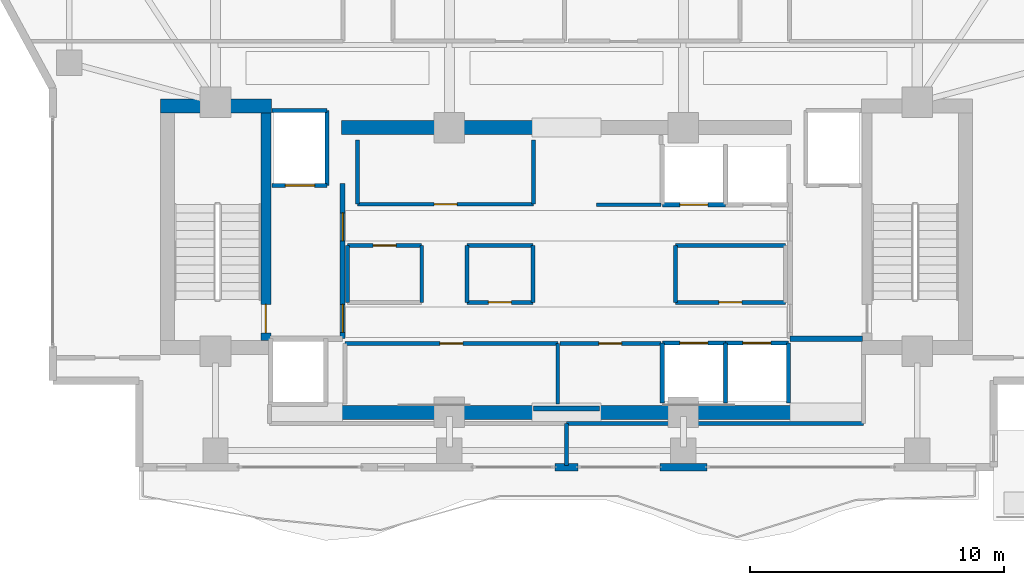
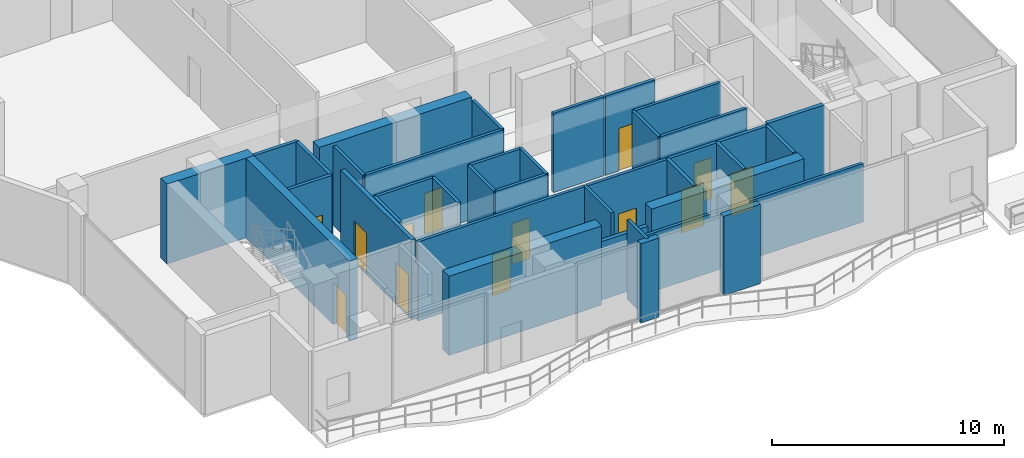
# One storey, part 17 of 23: 38 walls, 13 doors, 13 openings.
"""IFC4 building model written with IfcOpenShell, lengths in metres."""

from ifc_helpers import new_model, si_unit, direction, frame, frame_2d, origin, place, context, subcontext, project, spatial, rectangle, extrude, material, layer, layer_set, type_object, element, fill, save


model = new_model("IFC4")

# Units and contexts
model_context = context("Model", 3, precision=1e-05, world=origin(), true_north=direction((0.0, 1.0)))
body_context = subcontext(model_context, "Body", "Model", "MODEL_VIEW")
ifc_project = project(units=[si_unit("LENGTHUNIT", "METRE"), si_unit("AREAUNIT", "SQUARE_METRE"), si_unit("VOLUMEUNIT", "CUBIC_METRE"), si_unit("PLANEANGLEUNIT", "RADIAN"), si_unit("MASSUNIT", "GRAM", prefix="KILO")], contexts=[model_context])

# Site, building, storey
site_placement = place(None, origin())
site = spatial("IfcSite", under=ifc_project, at=site_placement, CompositionType="ELEMENT")
building_placement = place(site_placement, origin())
building = spatial("IfcBuilding", under=site, at=building_placement, Name="Zuhayl Quay Hotel", CompositionType="ELEMENT")
storey_placement = place(building_placement, frame((0.0, 0.0, 288.449951171875)))
storey = spatial("IfcBuildingStorey", under=building, at=storey_placement, Name="L73", CompositionType="ELEMENT", Elevation=288.449951171875)

# Walls
ifc_material_1 = material(Name="Concrete C50/60", Category="concrete")
ifc_layer_1 = layer(ifc_material_1, 0.550048828125, Name="Concrete C50/60", Category="concrete")
ifc_layer_set_1 = layer_set([ifc_layer_1], Name="Concrete C50/60")
wall_type_1 = type_object("IfcWallType", Name="WL_CORE_550", PredefinedType="SHEAR", material=ifc_layer_set_1)
wall_1_placement = place(storey_placement, frame((-15.9599609375, 14.205078125, 0.0), z_axis=(0.0, 0.0, 1.0), x_axis=(1.0, 0.0, 0.0)))
element("IfcWall", 1, at=wall_1_placement, inside=storey, type_object=wall_type_1, Name="L73 Core Shear Wall CW_NW", PredefinedType="SHEAR", context=body_context, shape_type="SweptSolid", body=[
    extrude(rectangle(XDim=4.35986328125, YDim=0.550048828125, at=frame_2d((2.179931640625, 0.0))), origin(), (0.0, 0.0, 1.0), 4.2099609375),
])
for number, where, z_axis, x_axis, name in (
    (2, (-8.85009765625, 2.14990234375, 0.0), (0.0, 0.0, 1.0), (1.0, 0.0, 0.0), "L73 Core Shear Wall CW_SC_W"),
    (3, (1.25, 2.14990234375, 0.0), (0.0, 0.0, 1.0), (1.0, 0.0, 0.0), "L73 Core Shear Wall CW_SC_E"),
    (4, (-8.85009765625, 13.35009765625, 0.0), (0.0, 0.0, 1.0), (1.0, 0.0, 0.0), "L73 Core Shear Wall CW_NC_W"),
):
    element("IfcWall", number, at=place(storey_placement, frame(where, z_axis=z_axis, x_axis=x_axis)), inside=storey, type_object=wall_type_1, Name=name, PredefinedType="SHEAR", context=body_context, shape_type="SweptSolid", body=[
        extrude(rectangle(XDim=7.60009765625, YDim=0.550048828125, at=frame_2d((3.800048828125, 0.0))), origin(), (0.0, 0.0, 1.0), 4.179931640625),
    ])
ifc_material_2 = material(Name="Precast concrete C45/55", Category="concrete")
ifc_layer_2 = layer(ifc_material_2, 0.300048828125, Name="Precast concrete C45/55", Category="concrete")
ifc_layer_set_2 = layer_set([ifc_layer_2], Name="Precast concrete C45/55")
wall_type_2 = type_object("IfcWallType", Name="WL_EXT_300", PredefinedType="STANDARD", material=ifc_layer_set_2)
wall_2_placement = place(storey_placement, frame((5.52001953125, 0.0, 0.0), z_axis=(0.0, 0.0, 1.0), x_axis=(-1.0, 0.0, 0.0)))
element("IfcWall", 5, at=wall_2_placement, inside=storey, type_object=wall_type_2, Name="L73 Exterior Precast Wall ENV_L73_S_EW2", PredefinedType="STANDARD", context=body_context, shape_type="SweptSolid", body=[
    extrude(rectangle(XDim=1.840087890625, YDim=0.300048828125, at=frame_2d((0.919921875, 0.0))), origin(), (0.0, 0.0, 1.0), 4.179931640625),
])
wall_3_placement = place(storey_placement, frame((0.449951171875, 0.0, 0.0), z_axis=(0.0, 0.0, 1.0), x_axis=(-1.0, 0.0, 0.0)))
element("IfcWall", 6, at=wall_3_placement, inside=storey, type_object=wall_type_2, Name="L73 Exterior Precast Wall ENV_L73_S_EW3", PredefinedType="STANDARD", context=body_context, shape_type="SweptSolid", body=[
    extrude(rectangle(XDim=0.89990234375, YDim=0.300048828125, at=frame_2d((0.449951171875, 0.0))), origin(), (0.0, 0.0, 1.0), 4.179931640625),
])

# Wall, opening, door
ifc_material_3 = material(Name="Acoustic Gypsum Partition STC-58")
ifc_layer_3 = layer(ifc_material_3, 0.14990234375, Name="Acoustic Gypsum Partition STC-58")
ifc_layer_set_3 = layer_set([ifc_layer_3], Name="Acoustic Gypsum Partition STC-58")
wall_type_3 = type_object("IfcWallType", Name="WL_PART_150", PredefinedType="PARTITIONING", material=ifc_layer_set_3)
wall_4_placement = place(storey_placement, frame((-8.7099609375, 4.860107421875, 0.0), z_axis=(0.0, 0.0, 1.0), x_axis=(1.0, 0.0, 0.0)))
wall_4 = element("IfcWall", 7, at=wall_4_placement, inside=storey, type_object=wall_type_3, Name="L73 Partition IW_L73_FMP_SW_N", PredefinedType="PARTITIONING", context=body_context, shape_type="SweptSolid", body=[
    extrude(rectangle(XDim=8.369873046875, YDim=0.14990234375, at=frame_2d((4.18505859375, 0.0))), origin(), (0.0, 0.0, 1.0), 4.179931640625),
])
opening_1_placement = place(wall_4_placement, frame((3.735107421875, 0.0, 0.0)))
opening_1 = element("IfcOpeningElement", 8, at=opening_1_placement, cuts=wall_4, Name="Opening D06", PredefinedType="OPENING", context=body_context, shape_type="SweptSolid", body=[
    extrude(rectangle(XDim=0.89990234375, YDim=2.14990234375, at=frame_2d((0.449951171875, 1.074951171875))), frame((0.0, 0.0849609375, 0.0), z_axis=(0.0, -1.0, 0.0), x_axis=(1.0, 0.0, 0.0)), (0.0, 0.0, 1.0), 0.169921875),
])
ifc_material_4 = material(Name="Steel ASTM A992 Grade 50", Category="steel")
door_type_1 = type_object("IfcDoorType", Name="DR_INT_900", OperationType="NOTDEFINED", PredefinedType="DOOR", material=ifc_material_4)
door_1_placement = place(opening_1_placement, origin())
door_1 = element("IfcDoor", 9, at=door_1_placement, inside=storey, type_object=door_type_1, Name="L73 Royal Butler Servery Door", OperationType="SINGLE_SWING_RIGHT", OverallHeight=2.14990234375, OverallWidth=0.89990234375, PredefinedType="DOOR", context=body_context, shape_type="SweptSolid", body=[
    extrude(rectangle(XDim=0.89990234375, YDim=2.14990234375, at=frame_2d((0.449951171875, 1.074951171875))), frame((0.0, 0.02490234375, 0.0), z_axis=(0.0, -1.0, 0.0), x_axis=(1.0, 0.0, 0.0)), (0.0, 0.0, 1.0), 0.050048828125),
])
fill(opening_1, door_1)

wall_5_placement = place(storey_placement, frame((-0.260009765625, 4.860107421875, 0.0), z_axis=(0.0, 0.0, 1.0), x_axis=(1.0, 0.0, 0.0)))
wall_5 = element("IfcWall", 10, at=wall_5_placement, inside=storey, type_object=wall_type_3, Name="L73 Partition IW_L73_FMP_SE_N", PredefinedType="PARTITIONING", context=body_context, shape_type="SweptSolid", body=[
    extrude(rectangle(XDim=3.969970703125, YDim=0.14990234375, at=frame_2d((1.98486328125, 0.0))), origin(), (0.0, 0.0, 1.0), 4.179931640625),
])
opening_2_placement = place(wall_5_placement, frame((1.534912109375, 0.0, 0.0)))
opening_2 = element("IfcOpeningElement", 11, at=opening_2_placement, cuts=wall_5, Name="Opening D06", PredefinedType="OPENING", context=body_context, shape_type="SweptSolid", body=[
    extrude(rectangle(XDim=0.89990234375, YDim=2.14990234375, at=frame_2d((0.449951171875, 1.074951171875))), frame((0.0, 0.0849609375, 0.0), z_axis=(0.0, -1.0, 0.0), x_axis=(1.0, 0.0, 0.0)), (0.0, 0.0, 1.0), 0.169921875),
])
door_2_placement = place(opening_2_placement, origin())
door_2 = element("IfcDoor", 12, at=door_2_placement, inside=storey, type_object=door_type_1, Name="L73 Butler Store East Door", OperationType="SINGLE_SWING_LEFT", OverallHeight=2.14990234375, OverallWidth=0.89990234375, PredefinedType="DOOR", context=body_context, shape_type="SweptSolid", body=[
    extrude(rectangle(XDim=0.89990234375, YDim=2.14990234375, at=frame_2d((0.449951171875, 1.074951171875))), frame((0.0, 0.02490234375, 0.0), z_axis=(0.0, -1.0, 0.0), x_axis=(1.0, 0.0, 0.0)), (0.0, 0.0, 1.0), 0.050048828125),
])
fill(opening_2, door_2)

wall_6_placement = place(storey_placement, frame((-8.2099609375, 10.340087890625, 0.0), z_axis=(0.0, 0.0, 1.0), x_axis=(1.0, 0.0, 0.0)))
wall_6 = element("IfcWall", 13, at=wall_6_placement, inside=storey, type_object=wall_type_3, Name="L73 Partition IW_L73_FMP_NW_S", PredefinedType="PARTITIONING", context=body_context, shape_type="SweptSolid", body=[
    extrude(rectangle(XDim=6.919921875, YDim=0.14990234375, at=frame_2d((3.4599609375, 0.0))), origin(), (0.0, 0.0, 1.0), 4.179931640625),
])
opening_3_placement = place(wall_6_placement, frame((3.010009765625, 0.0, 0.0)))
opening_3 = element("IfcOpeningElement", 14, at=opening_3_placement, cuts=wall_6, Name="Opening D06", PredefinedType="OPENING", context=body_context, shape_type="SweptSolid", body=[
    extrude(rectangle(XDim=0.89990234375, YDim=2.14990234375, at=frame_2d((0.449951171875, 1.074951171875))), frame((0.0, 0.0849609375, 0.0), z_axis=(0.0, -1.0, 0.0), x_axis=(1.0, 0.0, 0.0)), (0.0, 0.0, 1.0), 0.169921875),
])
door_3_placement = place(opening_3_placement, origin())
door_3 = element("IfcDoor", 15, at=door_3_placement, inside=storey, type_object=door_type_1, Name="L73 Valet Locker Store Door", OperationType="SINGLE_SWING_RIGHT", OverallHeight=2.14990234375, OverallWidth=0.89990234375, PredefinedType="DOOR", context=body_context, shape_type="SweptSolid", body=[
    extrude(rectangle(XDim=0.89990234375, YDim=2.14990234375, at=frame_2d((0.449951171875, 1.074951171875))), frame((0.0, 0.02490234375, 0.0), z_axis=(0.0, -1.0, 0.0), x_axis=(1.0, 0.0, 0.0)), (0.0, 0.0, 1.0), 0.050048828125),
])
fill(opening_3, door_3)

wall_7_placement = place(storey_placement, frame((-8.610107421875, 8.719970703125, 0.0), z_axis=(0.0, 0.0, 1.0), x_axis=(1.0, 0.0, 0.0)))
wall_7 = element("IfcWall", 16, at=wall_7_placement, inside=storey, type_object=wall_type_3, Name="L73 Partition IW_L73_CORE_HK_N", PredefinedType="PARTITIONING", context=body_context, shape_type="SweptSolid", body=[
    extrude(rectangle(XDim=2.920166015625, YDim=0.14990234375, at=frame_2d((1.4599609375, 0.0))), origin(), (0.0, 0.0, 1.0), 4.179931640625),
])
opening_4_placement = place(wall_7_placement, frame((1.010009765625, 0.0, 0.0)))
opening_4 = element("IfcOpeningElement", 17, at=opening_4_placement, cuts=wall_7, Name="Opening D06", PredefinedType="OPENING", context=body_context, shape_type="SweptSolid", body=[
    extrude(rectangle(XDim=0.89990234375, YDim=2.14990234375, at=frame_2d((0.449951171875, 1.074951171875))), frame((0.0, 0.0849609375, 0.0), z_axis=(0.0, -1.0, 0.0), x_axis=(1.0, 0.0, 0.0)), (0.0, 0.0, 1.0), 0.169921875),
])
door_4_placement = place(opening_4_placement, origin())
door_4 = element("IfcDoor", 18, at=door_4_placement, inside=storey, type_object=door_type_1, Name="L73 Core Housekeeping Store Door", OperationType="SINGLE_SWING_LEFT", OverallHeight=2.14990234375, OverallWidth=0.89990234375, PredefinedType="DOOR", context=body_context, shape_type="SweptSolid", body=[
    extrude(rectangle(XDim=0.89990234375, YDim=2.14990234375, at=frame_2d((0.449951171875, 1.074951171875))), frame((0.0, 0.02490234375, 0.0), z_axis=(0.0, -1.0, 0.0), x_axis=(1.0, 0.0, 0.0)), (0.0, 0.0, 1.0), 0.050048828125),
])
fill(opening_4, door_4)

wall_8_placement = place(storey_placement, frame((-3.909912109375, 6.47998046875, 0.0), z_axis=(0.0, 0.0, 1.0), x_axis=(1.0, 0.0, 0.0)))
wall_8 = element("IfcWall", 19, at=wall_8_placement, inside=storey, type_object=wall_type_3, Name="L73 Partition IW_L73_CORE_BC_S", PredefinedType="PARTITIONING", context=body_context, shape_type="SweptSolid", body=[
    extrude(rectangle(XDim=2.58984375, YDim=0.14990234375, at=frame_2d((1.294921875, 0.0))), origin(), (0.0, 0.0, 1.0), 4.179931640625),
])
opening_5_placement = place(wall_8_placement, frame((0.844970703125, 0.0, 0.0)))
opening_5 = element("IfcOpeningElement", 20, at=opening_5_placement, cuts=wall_8, Name="Opening D06", PredefinedType="OPENING", context=body_context, shape_type="SweptSolid", body=[
    extrude(rectangle(XDim=0.89990234375, YDim=2.14990234375, at=frame_2d((0.449951171875, 1.074951171875))), frame((0.0, 0.0849609375, 0.0), z_axis=(0.0, -1.0, 0.0), x_axis=(1.0, 0.0, 0.0)), (0.0, 0.0, 1.0), 0.169921875),
])
door_5_placement = place(opening_5_placement, origin())
door_5 = element("IfcDoor", 21, at=door_5_placement, inside=storey, type_object=door_type_1, Name="L73 BMS Control Closet Door", OperationType="SINGLE_SWING_RIGHT", OverallHeight=2.14990234375, OverallWidth=0.89990234375, PredefinedType="DOOR", context=body_context, shape_type="SweptSolid", body=[
    extrude(rectangle(XDim=0.89990234375, YDim=2.14990234375, at=frame_2d((0.449951171875, 1.074951171875))), frame((0.0, 0.02490234375, 0.0), z_axis=(0.0, -1.0, 0.0), x_axis=(1.0, 0.0, 0.0)), (0.0, 0.0, 1.0), 0.050048828125),
])
fill(opening_5, door_5)

wall_9_placement = place(storey_placement, frame((4.2900390625, 6.47998046875, 0.0), z_axis=(0.0, 0.0, 1.0), x_axis=(1.0, 0.0, 0.0)))
wall_9 = element("IfcWall", 22, at=wall_9_placement, inside=storey, type_object=wall_type_3, Name="L73 Partition IW_L73_CORE_VL_S", PredefinedType="PARTITIONING", context=body_context, shape_type="SweptSolid", body=[
    extrude(rectangle(XDim=4.320068359375, YDim=0.14990234375, at=frame_2d((2.16015625, 0.0))), origin(), (0.0, 0.0, 1.0), 4.179931640625),
])
opening_6_placement = place(wall_9_placement, frame((1.7099609375, 0.0, 0.0)))
opening_6 = element("IfcOpeningElement", 23, at=opening_6_placement, cuts=wall_9, Name="Opening D06", PredefinedType="OPENING", context=body_context, shape_type="SweptSolid", body=[
    extrude(rectangle(XDim=0.89990234375, YDim=2.14990234375, at=frame_2d((0.449951171875, 1.074951171875))), frame((0.0, 0.0849609375, 0.0), z_axis=(0.0, -1.0, 0.0), x_axis=(1.0, 0.0, 0.0)), (0.0, 0.0, 1.0), 0.169921875),
])
door_6_placement = place(opening_6_placement, origin())
door_6 = element("IfcDoor", 24, at=door_6_placement, inside=storey, type_object=door_type_1, Name="L73 Floor Valet Store Door", OperationType="SINGLE_SWING_LEFT", OverallHeight=2.14990234375, OverallWidth=0.89990234375, PredefinedType="DOOR", context=body_context, shape_type="SweptSolid", body=[
    extrude(rectangle(XDim=0.89990234375, YDim=2.14990234375, at=frame_2d((0.449951171875, 1.074951171875))), frame((0.0, 0.02490234375, 0.0), z_axis=(0.0, -1.0, 0.0), x_axis=(1.0, 0.0, 0.0)), (0.0, 0.0, 1.0), 0.050048828125),
])
fill(opening_6, door_6)

# Walls
wall_10_placement = place(storey_placement, frame((-0.340087890625, 2.489990234375, 0.0), z_axis=(0.0, 0.0, 1.0), x_axis=(0.0, 1.0, 0.0)))
element("IfcWall", 25, at=wall_10_placement, inside=storey, type_object=wall_type_3, Name="L73 Partition IW_L73_FMP_SW_E", PredefinedType="PARTITIONING", context=body_context, shape_type="SweptSolid", body=[
    extrude(rectangle(XDim=2.3701171875, YDim=0.14990234375, at=frame_2d((1.18505859375, 0.0))), origin(), (0.0, 0.0, 1.0), 4.179931640625),
])
for number, where, z_axis, x_axis, name in (
    (26, (-8.2099609375, 10.340087890625, 0.0), (0.0, 0.0, 1.0), (0.0, 1.0, 0.0), "L73 Partition IW_L73_FMP_NW_W"),
    (27, (-1.2900390625, 10.340087890625, 0.0), (0.0, 0.0, 1.0), (0.0, 1.0, 0.0), "L73 Partition IW_L73_FMP_NW_E"),
):
    element("IfcWall", number, at=place(storey_placement, frame(where, z_axis=z_axis, x_axis=x_axis)), inside=storey, type_object=wall_type_3, Name=name, PredefinedType="PARTITIONING", context=body_context, shape_type="SweptSolid", body=[
        extrude(rectangle(XDim=2.52001953125, YDim=0.14990234375, at=frame_2d((1.260009765625, 0.0))), origin(), (0.0, 0.0, 1.0), 4.179931640625),
    ])
for number, where, z_axis, x_axis, name in (
    (28, (-8.610107421875, 6.47998046875, 0.0), (0.0, 0.0, 1.0), (0.0, 1.0, 0.0), "L73 Partition IW_L73_CORE_HK_W"),
    (29, (-5.68994140625, 6.47998046875, 0.0), (0.0, 0.0, 1.0), (0.0, 1.0, 0.0), "L73 Partition IW_L73_CORE_HK_E"),
):
    element("IfcWall", number, at=place(storey_placement, frame(where, z_axis=z_axis, x_axis=x_axis)), inside=storey, type_object=wall_type_3, Name=name, PredefinedType="PARTITIONING", context=body_context, shape_type="SweptSolid", body=[
        extrude(rectangle(XDim=2.239990234375, YDim=0.14990234375, at=frame_2d((1.1201171875, 0.0))), origin(), (0.0, 0.0, 1.0), 4.179931640625),
    ])
wall_11_placement = place(storey_placement, frame((-3.909912109375, 8.719970703125, 0.0), z_axis=(0.0, 0.0, 1.0), x_axis=(1.0, 0.0, 0.0)))
element("IfcWall", 30, at=wall_11_placement, inside=storey, type_object=wall_type_3, Name="L73 Partition IW_L73_CORE_BC_N", PredefinedType="PARTITIONING", context=body_context, shape_type="SweptSolid", body=[
    extrude(rectangle(XDim=2.58984375, YDim=0.14990234375, at=frame_2d((1.294921875, 0.0))), origin(), (0.0, 0.0, 1.0), 4.179931640625),
])
for number, where, z_axis, x_axis, name in (
    (31, (-3.909912109375, 6.47998046875, 0.0), (0.0, 0.0, 1.0), (0.0, 1.0, 0.0), "L73 Partition IW_L73_CORE_BC_W"),
    (32, (-1.320068359375, 6.47998046875, 0.0), (0.0, 0.0, 1.0), (0.0, 1.0, 0.0), "L73 Partition IW_L73_CORE_BC_E"),
):
    element("IfcWall", number, at=place(storey_placement, frame(where, z_axis=z_axis, x_axis=x_axis)), inside=storey, type_object=wall_type_3, Name=name, PredefinedType="PARTITIONING", context=body_context, shape_type="SweptSolid", body=[
        extrude(rectangle(XDim=2.239990234375, YDim=0.14990234375, at=frame_2d((1.1201171875, 0.0))), origin(), (0.0, 0.0, 1.0), 4.179931640625),
    ])
wall_12_placement = place(storey_placement, frame((4.2900390625, 8.719970703125, 0.0), z_axis=(0.0, 0.0, 1.0), x_axis=(1.0, 0.0, 0.0)))
element("IfcWall", 33, at=wall_12_placement, inside=storey, type_object=wall_type_3, Name="L73 Partition IW_L73_CORE_VL_N", PredefinedType="PARTITIONING", context=body_context, shape_type="SweptSolid", body=[
    extrude(rectangle(XDim=4.320068359375, YDim=0.14990234375, at=frame_2d((2.16015625, 0.0))), origin(), (0.0, 0.0, 1.0), 4.179931640625),
])
wall_13_placement = place(storey_placement, frame((4.2900390625, 6.47998046875, 0.0), z_axis=(0.0, 0.0, 1.0), x_axis=(0.0, 1.0, 0.0)))
element("IfcWall", 34, at=wall_13_placement, inside=storey, type_object=wall_type_3, Name="L73 Partition IW_L73_CORE_VL_W", PredefinedType="PARTITIONING", context=body_context, shape_type="SweptSolid", body=[
    extrude(rectangle(XDim=2.239990234375, YDim=0.14990234375, at=frame_2d((1.1201171875, 0.0))), origin(), (0.0, 0.0, 1.0), 4.179931640625),
])
wall_14_placement = place(storey_placement, frame((1.179931640625, 10.320068359375, 0.0), z_axis=(0.0, 0.0, 1.0), x_axis=(1.0, 0.0, 0.0)))
element("IfcWall", 35, at=wall_14_placement, inside=storey, type_object=wall_type_3, Name="L73 Partition IW_L73_VEST_MP4_S", PredefinedType="PARTITIONING", context=body_context, shape_type="SweptSolid", body=[
    extrude(rectangle(XDim=2.5400390625, YDim=0.14990234375, at=frame_2d((1.27001953125, 0.0))), origin(), (0.0, 0.0, 1.0), 4.179931640625),
])
wall_15_placement = place(storey_placement, frame((0.0, 1.719970703125, 0.0), z_axis=(0.0, 0.0, 1.0), x_axis=(1.0, 0.0, 0.0)))
element("IfcWall", 36, at=wall_15_placement, inside=storey, type_object=wall_type_3, Name="L73 Partition IW_L73_Z4_SUN_SE_SN", PredefinedType="PARTITIONING", context=body_context, shape_type="SweptSolid", body=[
    extrude(rectangle(XDim=11.679931640625, YDim=0.14990234375, at=frame_2d((5.83984375, 0.0))), origin(), (0.0, 0.0, 1.0), 3.080078125),
])
wall_16_placement = place(storey_placement, frame((0.0, 0.06005859375, 0.0), z_axis=(0.0, 0.0, 1.0), x_axis=(0.0, 1.0, 0.0)))
element("IfcWall", 37, at=wall_16_placement, inside=storey, type_object=wall_type_3, Name="L73 Partition IW_L73_Z4_SUN_MID", PredefinedType="PARTITIONING", context=body_context, shape_type="SweptSolid", body=[
    extrude(rectangle(XDim=1.659912109375, YDim=0.14990234375, at=frame_2d((0.830078125, 0.0))), origin(), (0.0, 0.0, 1.0), 4.179931640625),
])

# Wall, opening, door
ifc_material_5 = material(Name="Gypsum Fireboard Assembly EI-90")
ifc_layer_4 = layer(ifc_material_5, 0.1650390625, Name="Gypsum Fireboard Assembly EI-90")
ifc_layer_set_4 = layer_set([ifc_layer_4], Name="Gypsum Fireboard Assembly EI-90")
wall_type_4 = type_object("IfcWallType", Name="WL_PART_SHAFT_160", PredefinedType="PARTITIONING", material=ifc_layer_set_4)
wall_17_placement = place(storey_placement, frame((-11.580078125, 11.070068359375, 0.0), z_axis=(0.0, 0.0, 1.0), x_axis=(1.0, 0.0, 0.0)))
wall_17 = element("IfcWall", 38, at=wall_17_placement, inside=storey, type_object=wall_type_4, Name="L73 Partition IW_L73_SH_FL1_F", PredefinedType="PARTITIONING", context=body_context, shape_type="SweptSolid", body=[
    extrude(rectangle(XDim=2.16015625, YDim=0.1650390625, at=frame_2d((1.080078125, 0.0))), origin(), (0.0, 0.0, 1.0), 4.179931640625),
])
opening_7_placement = place(wall_17_placement, frame((0.530029296875, 0.0, 0.0)))
opening_7 = element("IfcOpeningElement", 39, at=opening_7_placement, cuts=wall_17, Name="Opening LD2", PredefinedType="OPENING", context=body_context, shape_type="SweptSolid", body=[
    extrude(rectangle(XDim=1.14990234375, YDim=2.25, at=frame_2d((0.574951171875, 1.125))), frame((0.0, 0.092529296875, 0.0), z_axis=(0.0, -1.0, 0.0), x_axis=(1.0, 0.0, 0.0)), (0.0, 0.0, 1.0), 0.18505859375),
])
ifc_material_6 = material(Name="Brushed Stainless Steel", Category="steel")
door_type_2 = type_object("IfcDoorType", Name="DR_LIFT_FF_1100", OperationType="SLIDING_TO_LEFT", PredefinedType="DOOR", material=ifc_material_6)
door_7_placement = place(opening_7_placement, origin())
door_7 = element("IfcDoor", 40, at=door_7_placement, inside=storey, type_object=door_type_2, Name="L73 Lift FL1 Sliding Landing Door", OperationType="SLIDING_TO_LEFT", OverallHeight=2.25, OverallWidth=1.14990234375, PredefinedType="DOOR", context=body_context, shape_type="SweptSolid", body=[
    extrude(rectangle(XDim=1.14990234375, YDim=2.25, at=frame_2d((0.574951171875, 1.125))), frame((0.0, 0.02490234375, 0.0), z_axis=(0.0, -1.0, 0.0), x_axis=(1.0, 0.0, 0.0)), (0.0, 0.0, 1.0), 0.050048828125),
])
fill(opening_7, door_7)

wall_18_placement = place(storey_placement, frame((3.77001953125, 4.8798828125, 0.0), z_axis=(0.0, 0.0, 1.0), x_axis=(1.0, 0.0, 0.0)))
wall_18 = element("IfcWall", 41, at=wall_18_placement, inside=storey, type_object=wall_type_4, Name="L73 Partition IW_L73_SH_HP1_F", PredefinedType="PARTITIONING", context=body_context, shape_type="SweptSolid", body=[
    extrude(rectangle(XDim=2.47998046875, YDim=0.1650390625, at=frame_2d((1.239990234375, 0.0))), origin(), (0.0, 0.0, 1.0), 4.179931640625),
])
opening_8_placement = place(wall_18_placement, frame((0.68994140625, 0.0, 0.0)))
opening_8 = element("IfcOpeningElement", 42, at=opening_8_placement, cuts=wall_18, Name="Opening LD1", PredefinedType="OPENING", context=body_context, shape_type="SweptSolid", body=[
    extrude(rectangle(XDim=1.10009765625, YDim=2.25, at=frame_2d((0.550048828125, 1.125))), frame((0.0, 0.092529296875, 0.0), z_axis=(0.0, -1.0, 0.0), x_axis=(1.0, 0.0, 0.0)), (0.0, 0.0, 1.0), 0.18505859375),
])
door_type_3 = type_object("IfcDoorType", Name="DR_LIFT_PASS_1100", OperationType="SLIDING_TO_LEFT", PredefinedType="DOOR", material=ifc_material_6)
door_8_placement = place(opening_8_placement, origin())
door_8 = element("IfcDoor", 43, at=door_8_placement, inside=storey, type_object=door_type_3, Name="L73 Lift HP1 Sliding Landing Door", OperationType="SLIDING_TO_LEFT", OverallHeight=2.25, OverallWidth=1.10009765625, PredefinedType="DOOR", context=body_context, shape_type="SweptSolid", body=[
    extrude(rectangle(XDim=1.10009765625, YDim=2.25, at=frame_2d((0.550048828125, 1.125))), frame((0.0, 0.02490234375, 0.0), z_axis=(0.0, -1.0, 0.0), x_axis=(1.0, 0.0, 0.0)), (0.0, 0.0, 1.0), 0.050048828125),
])
fill(opening_8, door_8)

wall_19_placement = place(storey_placement, frame((6.25, 4.8798828125, 0.0), z_axis=(0.0, 0.0, 1.0), x_axis=(1.0, 0.0, 0.0)))
wall_19 = element("IfcWall", 44, at=wall_19_placement, inside=storey, type_object=wall_type_4, Name="L73 Partition IW_L73_SH_HP2_F", PredefinedType="PARTITIONING", context=body_context, shape_type="SweptSolid", body=[
    extrude(rectangle(XDim=2.47998046875, YDim=0.1650390625, at=frame_2d((1.239990234375, 0.0))), origin(), (0.0, 0.0, 1.0), 4.179931640625),
])
opening_9_placement = place(wall_19_placement, frame((0.68994140625, 0.0, 0.0)))
opening_9 = element("IfcOpeningElement", 45, at=opening_9_placement, cuts=wall_19, Name="Opening LD1", PredefinedType="OPENING", context=body_context, shape_type="SweptSolid", body=[
    extrude(rectangle(XDim=1.10009765625, YDim=2.25, at=frame_2d((0.550048828125, 1.125))), frame((0.0, 0.092529296875, 0.0), z_axis=(0.0, -1.0, 0.0), x_axis=(1.0, 0.0, 0.0)), (0.0, 0.0, 1.0), 0.18505859375),
])
door_9_placement = place(opening_9_placement, origin())
door_9 = element("IfcDoor", 46, at=door_9_placement, inside=storey, type_object=door_type_3, Name="L73 Lift HP2 Sliding Landing Door", OperationType="SLIDING_TO_LEFT", OverallHeight=2.25, OverallWidth=1.10009765625, PredefinedType="DOOR", context=body_context, shape_type="SweptSolid", body=[
    extrude(rectangle(XDim=1.10009765625, YDim=2.25, at=frame_2d((0.550048828125, 1.125))), frame((0.0, 0.02490234375, 0.0), z_axis=(0.0, -1.0, 0.0), x_axis=(1.0, 0.0, 0.0)), (0.0, 0.0, 1.0), 0.050048828125),
])
fill(opening_9, door_9)

wall_20_placement = place(storey_placement, frame((3.77001953125, 10.320068359375, 0.0), z_axis=(0.0, 0.0, 1.0), x_axis=(1.0, 0.0, 0.0)))
wall_20 = element("IfcWall", 47, at=wall_20_placement, inside=storey, type_object=wall_type_4, Name="L73 Partition IW_L73_SH_HP3_F", PredefinedType="PARTITIONING", context=body_context, shape_type="SweptSolid", body=[
    extrude(rectangle(XDim=2.47998046875, YDim=0.1650390625, at=frame_2d((1.239990234375, 0.0))), origin(), (0.0, 0.0, 1.0), 4.179931640625),
])
opening_10_placement = place(wall_20_placement, frame((0.68994140625, 0.0, 0.0)))
opening_10 = element("IfcOpeningElement", 48, at=opening_10_placement, cuts=wall_20, Name="Opening LD1", PredefinedType="OPENING", context=body_context, shape_type="SweptSolid", body=[
    extrude(rectangle(XDim=1.10009765625, YDim=2.25, at=frame_2d((0.550048828125, 1.125))), frame((0.0, 0.092529296875, 0.0), z_axis=(0.0, -1.0, 0.0), x_axis=(1.0, 0.0, 0.0)), (0.0, 0.0, 1.0), 0.18505859375),
])
door_10_placement = place(opening_10_placement, origin())
door_10 = element("IfcDoor", 49, at=door_10_placement, inside=storey, type_object=door_type_3, Name="L73 Lift HP3 Sliding Landing Door", OperationType="SLIDING_TO_LEFT", OverallHeight=2.25, OverallWidth=1.10009765625, PredefinedType="DOOR", context=body_context, shape_type="SweptSolid", body=[
    extrude(rectangle(XDim=1.10009765625, YDim=2.25, at=frame_2d((0.550048828125, 1.125))), frame((0.0, 0.02490234375, 0.0), z_axis=(0.0, -1.0, 0.0), x_axis=(1.0, 0.0, 0.0)), (0.0, 0.0, 1.0), 0.050048828125),
])
fill(opening_10, door_10)

# Walls
wall_21_placement = place(storey_placement, frame((-9.419921875, 11.070068359375, 0.0), z_axis=(0.0, 0.0, 1.0), x_axis=(0.0, 1.0, 0.0)))
element("IfcWall", 50, at=wall_21_placement, inside=storey, type_object=wall_type_4, Name="L73 Partition IW_L73_SH_FL1_E", PredefinedType="PARTITIONING", context=body_context, shape_type="SweptSolid", body=[
    extrude(rectangle(XDim=2.9599609375, YDim=0.1650390625, at=frame_2d((1.47998046875, 0.0))), origin(), (0.0, 0.0, 1.0), 4.179931640625),
])
wall_22_placement = place(storey_placement, frame((-11.580078125, 14.030029296875, 0.0), z_axis=(0.0, 0.0, 1.0), x_axis=(1.0, 0.0, 0.0)))
element("IfcWall", 51, at=wall_22_placement, inside=storey, type_object=wall_type_4, Name="L73 Partition IW_L73_SH_FL1_B", PredefinedType="PARTITIONING", context=body_context, shape_type="SweptSolid", body=[
    extrude(rectangle(XDim=2.16015625, YDim=0.1650390625, at=frame_2d((1.080078125, 0.0))), origin(), (0.0, 0.0, 1.0), 4.179931640625),
])
for number, where, z_axis, x_axis, name in (
    (52, (3.77001953125, 2.52001953125, 0.0), (0.0, 0.0, 1.0), (0.0, 1.0, 0.0), "L73 Partition IW_L73_SH_HP1_W"),
    (53, (6.25, 2.52001953125, 0.0), (0.0, 0.0, 1.0), (0.0, 1.0, 0.0), "L73 Partition IW_L73_SH_HP1_E"),
    (54, (8.72998046875, 2.52001953125, 0.0), (0.0, 0.0, 1.0), (0.0, 1.0, 0.0), "L73 Partition IW_L73_SH_HP2_E"),
):
    element("IfcWall", number, at=place(storey_placement, frame(where, z_axis=z_axis, x_axis=x_axis)), inside=storey, type_object=wall_type_4, Name=name, PredefinedType="PARTITIONING", context=body_context, shape_type="SweptSolid", body=[
        extrude(rectangle(XDim=2.35986328125, YDim=0.1650390625, at=frame_2d((1.179931640625, 0.0))), origin(), (0.0, 0.0, 1.0), 4.179931640625),
    ])

# Wall, openings, doors
ifc_material_7 = material(Name="Gypsum Fireboard Assembly EI-120")
ifc_layer_5 = layer(ifc_material_7, 0.199951171875, Name="Gypsum Fireboard Assembly EI-120")
ifc_layer_set_5 = layer_set([ifc_layer_5], Name="Gypsum Fireboard Assembly EI-120")
wall_type_5 = type_object("IfcWallType", Name="WL_PART_SHAFT_200", PredefinedType="PARTITIONING", material=ifc_layer_set_5)
wall_23_placement = place(storey_placement, frame((-8.800048828125, 5.050048828125, 0.0), z_axis=(0.0, 0.0, 1.0), x_axis=(0.0, 1.0, 0.0)))
wall_23 = element("IfcWall", 55, at=wall_23_placement, inside=storey, type_object=wall_type_5, Name="L73 Partition IW_L73_FSAE_W_E", PredefinedType="PARTITIONING", context=body_context, shape_type="SweptSolid", body=[
    extrude(rectangle(XDim=6.099853515625, YDim=0.199951171875, at=frame_2d((3.0498046875, 0.0))), origin(), (0.0, 0.0, 1.0), 4.179931640625),
])
opening_11_placement = place(wall_23_placement, frame((0.25, 0.0, 0.0)))
opening_11 = element("IfcOpeningElement", 56, at=opening_11_placement, cuts=wall_23, Name="Opening D02", PredefinedType="OPENING", context=body_context, shape_type="SweptSolid", body=[
    extrude(rectangle(XDim=1.10009765625, YDim=2.199951171875, at=frame_2d((0.550048828125, 1.10009765625))), frame((0.0, 0.10986328125, 0.0), z_axis=(0.0, -1.0, 0.0), x_axis=(1.0, 0.0, 0.0)), (0.0, 0.0, 1.0), 0.219970703125),
])
opening_12_placement = place(wall_23_placement, frame((3.85009765625, 0.0, 0.0)))
opening_12 = element("IfcOpeningElement", 57, at=opening_12_placement, cuts=wall_23, Name="Opening D02", PredefinedType="OPENING", context=body_context, shape_type="SweptSolid", body=[
    extrude(rectangle(XDim=1.10009765625, YDim=2.199951171875, at=frame_2d((0.550048828125, 1.10009765625))), frame((0.0, 0.10986328125, 0.0), z_axis=(0.0, -1.0, 0.0), x_axis=(1.0, 0.0, 0.0)), (0.0, 0.0, 1.0), 0.219970703125),
])
door_type_4 = type_object("IfcDoorType", Name="DR_FIRE_90_1100", OperationType="NOTDEFINED", PredefinedType="DOOR", material=ifc_material_4)
door_11_placement = place(opening_11_placement, origin())
door_11 = element("IfcDoor", 58, at=door_11_placement, inside=storey, type_object=door_type_4, Name="L73 FSAE Lobby West South Entry Door", OperationType="SINGLE_SWING_RIGHT", OverallHeight=2.199951171875, OverallWidth=1.10009765625, PredefinedType="DOOR", context=body_context, shape_type="SweptSolid", body=[
    extrude(rectangle(XDim=1.10009765625, YDim=2.199951171875, at=frame_2d((0.550048828125, 1.10009765625))), frame((0.0, 0.02490234375, 0.0), z_axis=(0.0, -1.0, 0.0), x_axis=(1.0, 0.0, 0.0)), (0.0, 0.0, 1.0), 0.050048828125),
])
fill(opening_11, door_11)
door_12_placement = place(opening_12_placement, origin())
door_12 = element("IfcDoor", 59, at=door_12_placement, inside=storey, type_object=door_type_4, Name="L73 FSAE Lobby West North Entry Door", OperationType="SINGLE_SWING_LEFT", OverallHeight=2.199951171875, OverallWidth=1.10009765625, PredefinedType="DOOR", context=body_context, shape_type="SweptSolid", body=[
    extrude(rectangle(XDim=1.10009765625, YDim=2.199951171875, at=frame_2d((0.550048828125, 1.10009765625))), frame((0.0, 0.02490234375, 0.0), z_axis=(0.0, -1.0, 0.0), x_axis=(1.0, 0.0, 0.0)), (0.0, 0.0, 1.0), 0.050048828125),
])
fill(opening_12, door_12)

# Walls
wall_24_placement = place(storey_placement, frame((8.800048828125, 5.050048828125, 0.0), z_axis=(0.0, 0.0, 1.0), x_axis=(1.0, 0.0, 0.0)))
element("IfcWall", 60, at=wall_24_placement, inside=storey, type_object=wall_type_5, Name="L73 Partition IW_L73_FSAE_E_S", PredefinedType="PARTITIONING", context=body_context, shape_type="SweptSolid", body=[
    extrude(rectangle(XDim=2.849853515625, YDim=0.199951171875, at=frame_2d((1.4248046875, 0.0))), origin(), (0.0, 0.0, 1.0), 4.179931640625),
])
wall_25_placement = place(storey_placement, frame((-1.300048828125, 2.300048828125, 0.0), z_axis=(0.0, 0.0, 1.0), x_axis=(1.0, 0.0, 0.0)))
element("IfcWall", 61, at=wall_25_placement, inside=storey, type_object=wall_type_5, Name="L73 Partition IW_L73_CORE_SCM", PredefinedType="PARTITIONING", context=body_context, shape_type="SweptSolid", body=[
    extrude(rectangle(XDim=2.60009765625, YDim=0.199951171875, at=frame_2d((1.300048828125, 0.0))), origin(), (0.0, 0.0, 1.0), 3.080078125),
])

# Wall, opening, door
ifc_material_8 = material(Name="Concrete C60/75", Category="concrete")
ifc_layer_6 = layer(ifc_material_8, 0.39990234375, Name="Concrete C60/75", Category="concrete")
ifc_layer_set_6 = layer_set([ifc_layer_6], Name="Concrete C60/75")
wall_type_6 = type_object("IfcWallType", Name="WL_STAIR_400", PredefinedType="SHEAR", material=ifc_layer_set_6)
wall_26_placement = place(storey_placement, frame((-11.820068359375, 4.969970703125, 0.0), z_axis=(0.0, 0.0, 1.0), x_axis=(0.0, 1.0, 0.0)))
wall_26 = element("IfcWall", 62, at=wall_26_placement, inside=storey, type_object=wall_type_6, Name="L73 Core Shear Wall SW_ST1", PredefinedType="SHEAR", context=body_context, shape_type="SweptSolid", body=[
    extrude(rectangle(XDim=8.9599609375, YDim=0.39990234375, at=frame_2d((4.47998046875, 0.0))), origin(), (0.0, 0.0, 1.0), 4.2099609375),
])
opening_13_placement = place(wall_26_placement, frame((0.31005859375, 0.0, 0.0)))
opening_13 = element("IfcOpeningElement", 63, at=opening_13_placement, cuts=wall_26, Name="Opening D01", PredefinedType="OPENING", context=body_context, shape_type="SweptSolid", body=[
    extrude(rectangle(XDim=1.1201171875, YDim=2.219970703125, at=frame_2d((0.56005859375, 1.10986328125))), frame((0.0, 0.2099609375, 0.0), z_axis=(0.0, -1.0, 0.0), x_axis=(1.0, 0.0, 0.0)), (0.0, 0.0, 1.0), 0.419921875),
])
door_type_5 = type_object("IfcDoorType", Name="DR_STAIR_90_1100", OperationType="NOTDEFINED", PredefinedType="DOOR", material=ifc_material_4)
door_13_placement = place(opening_13_placement, origin())
door_13 = element("IfcDoor", 64, at=door_13_placement, inside=storey, type_object=door_type_5, Name="L73 Smokeproof Exit Stair ST1 Door", OperationType="SINGLE_SWING_LEFT", OverallHeight=2.219970703125, OverallWidth=1.1201171875, PredefinedType="DOOR", context=body_context, shape_type="SweptSolid", body=[
    extrude(rectangle(XDim=1.1201171875, YDim=2.219970703125, at=frame_2d((0.56005859375, 1.10986328125))), frame((0.0, 0.02490234375, 0.0), z_axis=(0.0, -1.0, 0.0), x_axis=(1.0, 0.0, 0.0)), (0.0, 0.0, 1.0), 0.050048828125),
])
fill(opening_13, door_13)

save(model, "model.ifc")
